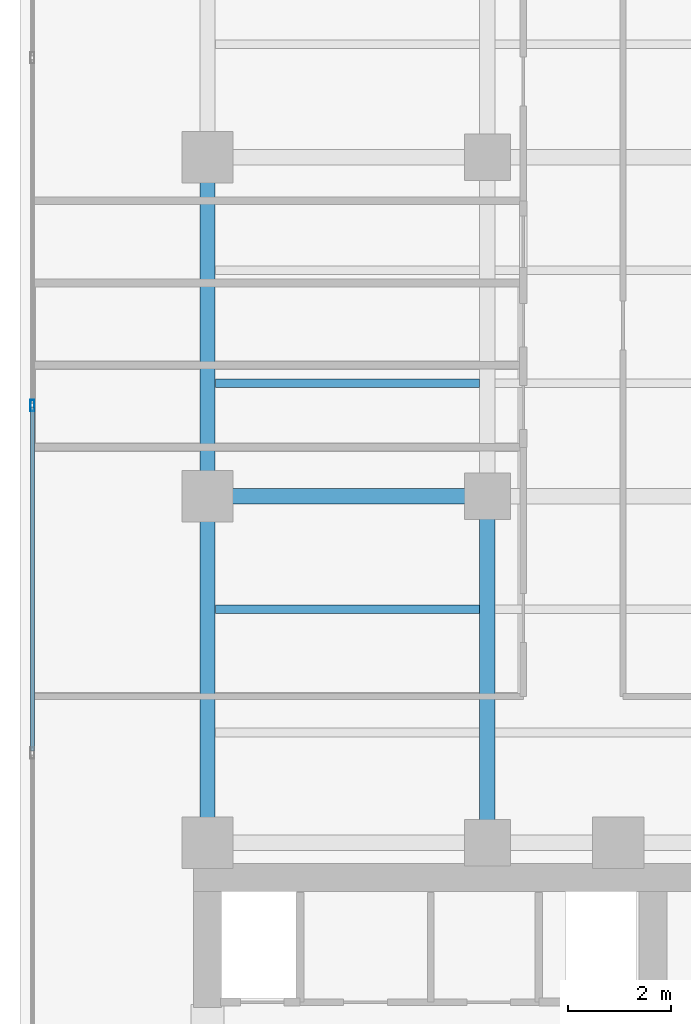
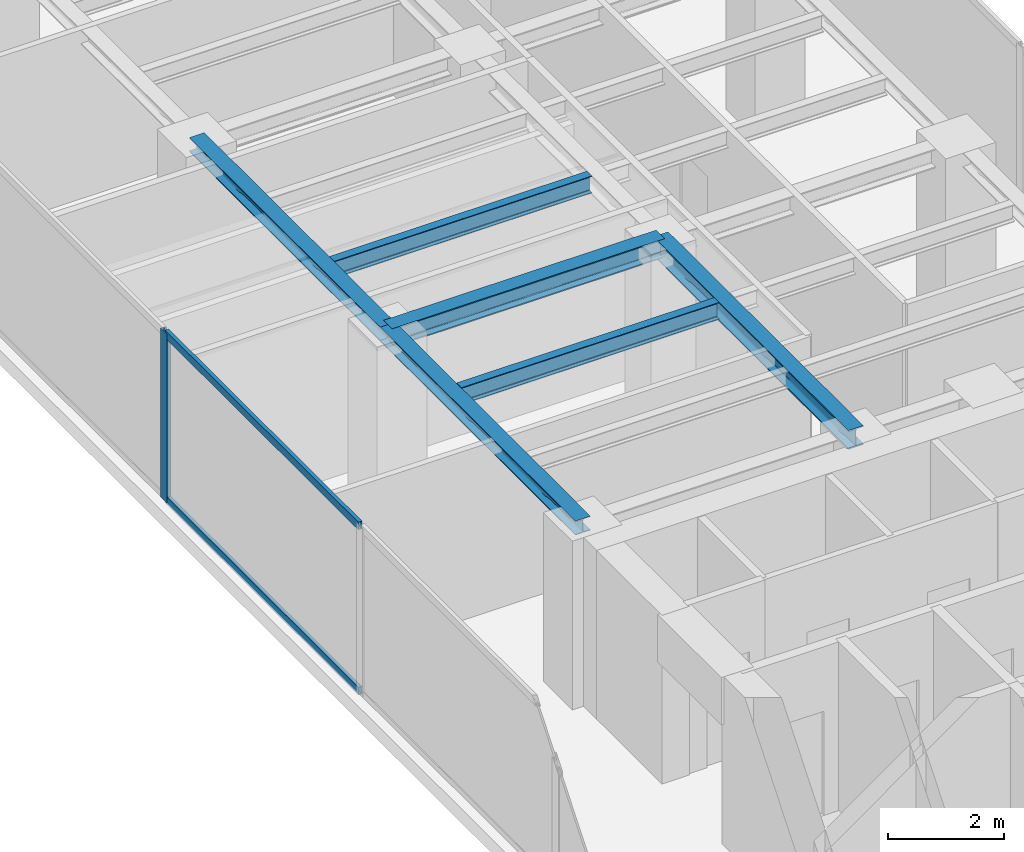
# One storey, part 8 of 25: 6 beams, 3 members, 1 element without a shape of its own.
"""IFC4 building model written with IfcOpenShell, lengths in metres."""

from ifc_helpers import new_model, si_unit, direction, frame, origin, origin_with_axes, origin_2d, place, context, subcontext, project, spatial, hollow_rectangle, i_section, extrude, source, transform, mapped, material, layer, layer_set, material_profile, profile_set, type_object, element, aggregate, save


model = new_model("IFC4")

# Units and contexts
model_context = context("Model", 3, precision=1e-05, world=origin(), true_north=direction((0.0, 1.0)))
body_context = subcontext(model_context, "Body", "Model", "MODEL_VIEW")
ifc_project = project(units=[si_unit("LENGTHUNIT", "METRE"), si_unit("AREAUNIT", "SQUARE_METRE"), si_unit("VOLUMEUNIT", "CUBIC_METRE"), si_unit("PLANEANGLEUNIT", "RADIAN"), si_unit("MASSUNIT", "GRAM", prefix="KILO")], contexts=[model_context])

# Site, building, storey
site_placement = place(None, origin())
site = spatial("IfcSite", under=ifc_project, at=site_placement, CompositionType="ELEMENT")
building_placement = place(site_placement, origin())
building = spatial("IfcBuilding", under=site, at=building_placement, Name="Kolvaren Waterfront Exchange", CompositionType="ELEMENT")
storey_placement = place(building_placement, frame((0.0, 0.0, 223.5)))
storey = spatial("IfcBuildingStorey", under=building, at=storey_placement, Name="L57", CompositionType="ELEMENT", Elevation=223.5)

# Beams
ifc_material_1 = material(Name="Steel S355", Category="steel")
ifc_material_profile_1 = material_profile(ifc_material_1, i_section(OverallWidth=0.300048828125, OverallDepth=0.300048828125, WebThickness=0.010986328125, FlangeThickness=0.01904296875, FilletRadius=0.027099609375, at=origin_2d()), Name="HEB300")
ifc_profile_set_1 = profile_set([ifc_material_profile_1], Name="Steel S355")
beam_type_1 = type_object("IfcBeamType", Name="STR-BM-HEB300", PredefinedType="SPANDREL", material=ifc_profile_set_1)
beam_1_placement = place(storey_placement, frame((7.449951171875, 24.449951171875, 3.409912109375), z_axis=(0.0, 1.0, 0.0), x_axis=(-1.0, 0.0, 0.0)))
element("IfcBeam", 1, at=beam_1_placement, inside=storey, type_object=beam_type_1, Name="L57 north-arm edge beam 1", PredefinedType="SPANDREL", context=body_context, shape_type="SweptSolid", body=[
    extrude(i_section(OverallWidth=0.300048828125, OverallDepth=0.300048828125, WebThickness=0.010986328125, FlangeThickness=0.01904296875, FilletRadius=0.027099609375, at=origin_2d()), origin(), (0.0, 0.0, 1.0), 6.75),
])
beam_2_placement = place(storey_placement, frame((7.449951171875, 31.199951171875, 3.409912109375), z_axis=(0.0, 1.0, 0.0), x_axis=(-1.0, 0.0, 0.0)))
element("IfcBeam", 2, at=beam_2_placement, inside=storey, type_object=beam_type_1, Name="L57 north-arm edge beam 2", PredefinedType="SPANDREL", context=body_context, shape_type="SweptSolid", body=[
    extrude(i_section(OverallWidth=0.300048828125, OverallDepth=0.300048828125, WebThickness=0.010986328125, FlangeThickness=0.01904296875, FilletRadius=0.027099609375, at=origin_2d()), origin(), (0.0, 0.0, 1.0), 6.60009765625),
])
ifc_material_profile_2 = material_profile(ifc_material_1, i_section(OverallWidth=0.300048828125, OverallDepth=0.39990234375, WebThickness=0.013427734375, FlangeThickness=0.02392578125, FilletRadius=0.027099609375, at=origin_2d()), Name="HEB400")
ifc_profile_set_2 = profile_set([ifc_material_profile_2], Name="Steel S355")
beam_type_2 = type_object("IfcBeamType", Name="STR-BM-HEB400", PredefinedType="BEAM", material=ifc_profile_set_2)
beam_3_placement = place(storey_placement, frame((7.449951171875, 31.199951171875, 3.360107421875), z_axis=(1.0, 0.0, 0.0), x_axis=(0.0, 1.0, 0.0)))
element("IfcBeam", 3, at=beam_3_placement, inside=storey, type_object=beam_type_2, Name="L57 north-arm girder 2A", PredefinedType="BEAM", context=body_context, shape_type="SweptSolid", body=[
    extrude(i_section(OverallWidth=0.300048828125, OverallDepth=0.39990234375, WebThickness=0.013427734375, FlangeThickness=0.02392578125, FilletRadius=0.027099609375, at=origin_2d()), origin(), (0.0, 0.0, 1.0), 5.449951171875),
])
beam_4_placement = place(storey_placement, frame((12.89990234375, 24.449951171875, 3.360107421875), z_axis=(0.0, 1.0, 0.0), x_axis=(-1.0, 0.0, 0.0)))
element("IfcBeam", 4, at=beam_4_placement, inside=storey, type_object=beam_type_2, Name="L57 north-arm edge beam 1", PredefinedType="BEAM", context=body_context, shape_type="SweptSolid", body=[
    extrude(i_section(OverallWidth=0.300048828125, OverallDepth=0.39990234375, WebThickness=0.013427734375, FlangeThickness=0.02392578125, FilletRadius=0.027099609375, at=origin_2d()), origin(), (0.0, 0.0, 1.0), 6.75),
])
ifc_material_profile_3 = material_profile(ifc_material_1, i_section(OverallWidth=0.169921875, OverallDepth=0.360107421875, WebThickness=0.008056640625, FlangeThickness=0.0126953125, FilletRadius=0.01806640625, at=origin_2d()), Name="IPE360")
ifc_profile_set_3 = profile_set([ifc_material_profile_3], Name="Steel S355")
beam_type_3 = type_object("IfcBeamType", Name="STR-BM-IPE360", PredefinedType="JOIST", material=ifc_profile_set_3)
for number, where, z_axis, x_axis, name in (
    (5, (7.60205078125, 29.0, 3.3798828125), (1.0, 0.0, 0.0), (0.0, 1.0, 0.0), "L57 north-arm composite joist 2A"),
    (6, (7.60205078125, 33.39990234375, 3.3798828125), (1.0, 0.0, 0.0), (0.0, 1.0, 0.0), "L57 north-arm composite joist 3A"),
):
    element("IfcBeam", number, at=place(storey_placement, frame(where, z_axis=z_axis, x_axis=x_axis)), inside=storey, type_object=beam_type_3, Name=name, PredefinedType="JOIST", context=body_context, shape_type="SweptSolid", body=[
        extrude(i_section(OverallWidth=0.169921875, OverallDepth=0.360107421875, WebThickness=0.008056640625, FlangeThickness=0.0126953125, FilletRadius=0.01806640625, at=origin_2d()), origin(), (0.0, 0.0, 1.0), 5.14599609375),
    ])

# Curtain wall, members
ifc_material_2 = material(Name="Anodised aluminium 6063-T6", Category="aluminium")
ifc_layer = layer(ifc_material_2, 0.219970703125, Name="Anodised aluminium 6063-T6")
ifc_layer_set = layer_set([ifc_layer], Name="Anodised aluminium 6063-T6")
curtain_wall_type = type_object("IfcCurtainWallType", Name="ARC-CW-SYS2", PredefinedType="USERDEFINED", material=ifc_layer_set)
curtain_wall_placement = place(storey_placement, origin())
curtain_wall = element("IfcCurtainWall", 7, at=curtain_wall_placement, inside=storey, type_object=curtain_wall_type, Name="L57 stick curtain wall CW2 (CW-L57-W)", ObjectType="STICK CURTAIN WALL", PredefinedType="USERDEFINED")
ifc_material_profile_4 = material_profile(ifc_material_2, hollow_rectangle(XDim=0.080078125, YDim=0.219970703125, WallThickness=0.0048828125, at=origin_2d()), Name="ALU-MUL-220x80x5")
ifc_profile_set_4 = profile_set([ifc_material_profile_4], Name="Anodised aluminium 6063-T6")
member_type_1 = type_object("IfcMemberType", Name="ARC-CWM-220", PredefinedType="MULLION", material=ifc_profile_set_4)
shared_shape_1 = source(origin_with_axes(), body_context, "Body", "SweptSolid", [
    extrude(hollow_rectangle(XDim=0.080078125, YDim=0.219970703125, WallThickness=0.0048828125, at=origin_2d()), origin(), (0.0, 0.0, 1.0), 3.56005859375),
])
member_1_placement = place(storey_placement, frame((4.0400390625, 32.966552734375, 0.0), z_axis=(0.0, 0.0, 1.0), x_axis=(-1.0, 0.0, 0.0)))
member_1 = element("IfcMember", 8, at=member_1_placement, type_object=member_type_1, Name="CW2 mullion 5", PredefinedType="MULLION", context=body_context, shape_type="MappedRepresentation", body=[
    mapped(shared_shape_1, transform((0.0, 0.0, 0.0), x_axis=(1.0, 0.0, 0.0), y_axis=(0.0, 1.0, 0.0), z_axis=(0.0, 0.0, 1.0), scale=1.0)),
])
ifc_material_profile_5 = material_profile(ifc_material_2, hollow_rectangle(XDim=0.074951171875, YDim=0.159912109375, WallThickness=0.00439453125, at=origin_2d()), Name="ALU-TRN-160x75x4.5")
ifc_profile_set_5 = profile_set([ifc_material_profile_5], Name="Anodised aluminium 6063-T6")
member_type_2 = type_object("IfcMemberType", Name="ARC-CWT-160", PredefinedType="USERDEFINED", material=ifc_profile_set_5)
shared_shape_2 = source(origin_with_axes(), body_context, "Body", "SweptSolid", [
    extrude(hollow_rectangle(XDim=0.074951171875, YDim=0.159912109375, WallThickness=0.00439453125, at=origin_2d()), origin(), (0.0, 0.0, 1.0), 6.686767578125),
])
member_2_placement = place(storey_placement, frame((4.0400390625, 26.239990234375, 0.03759765625), z_axis=(0.0, 1.0, 0.0), x_axis=(-1.0, 0.0, 0.0)))
member_2 = element("IfcMember", 9, at=member_2_placement, type_object=member_type_2, Name="CW2 transom 4.1", ObjectType="TRANSOM", PredefinedType="USERDEFINED", context=body_context, shape_type="MappedRepresentation", body=[
    mapped(shared_shape_2, transform((0.0, 0.0, 0.0), x_axis=(1.0, 0.0, 0.0), y_axis=(0.0, 1.0, 0.0), z_axis=(0.0, 0.0, 1.0), scale=1.0)),
])
member_3_placement = place(storey_placement, frame((4.0400390625, 26.239990234375, 3.5224609375), z_axis=(0.0, 1.0, 0.0), x_axis=(-1.0, 0.0, 0.0)))
member_3 = element("IfcMember", 10, at=member_3_placement, type_object=member_type_2, Name="CW2 transom 4.2", ObjectType="TRANSOM", PredefinedType="USERDEFINED", context=body_context, shape_type="MappedRepresentation", body=[
    mapped(shared_shape_2, transform((0.0, 0.0, 0.0), x_axis=(1.0, 0.0, 0.0), y_axis=(0.0, 1.0, 0.0), z_axis=(0.0, 0.0, 1.0), scale=1.0)),
])
aggregate(curtain_wall, [member_1, member_2, member_3])

save(model, "model.ifc")
